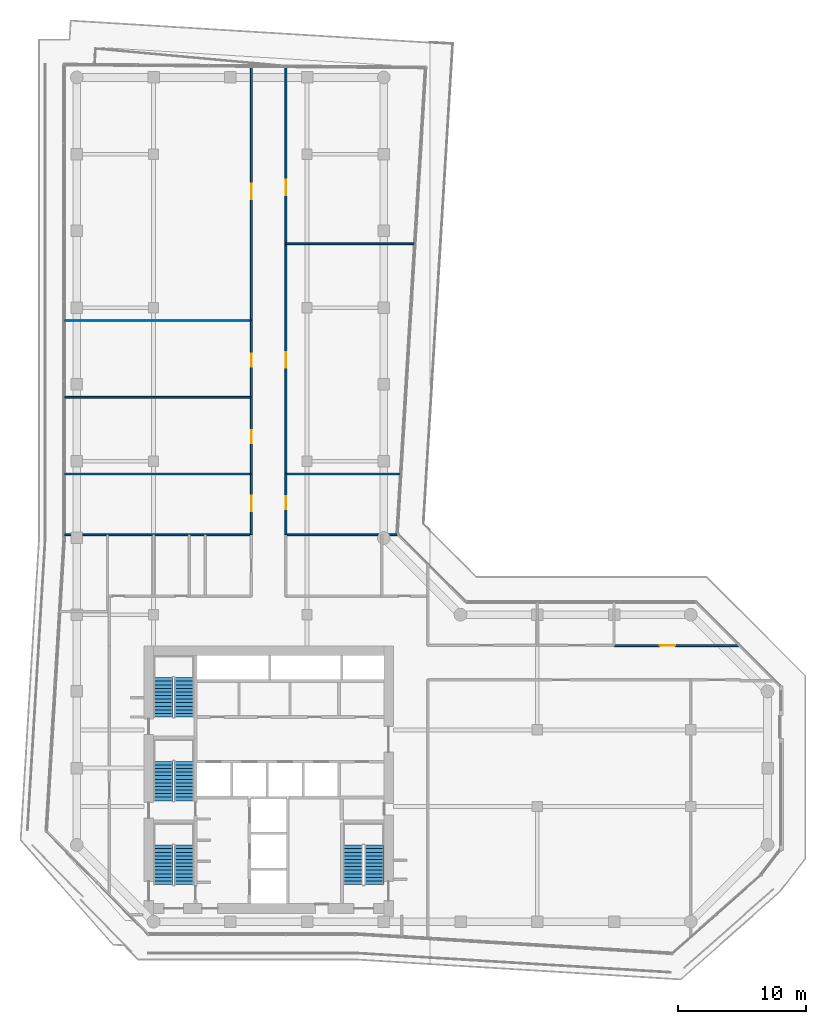
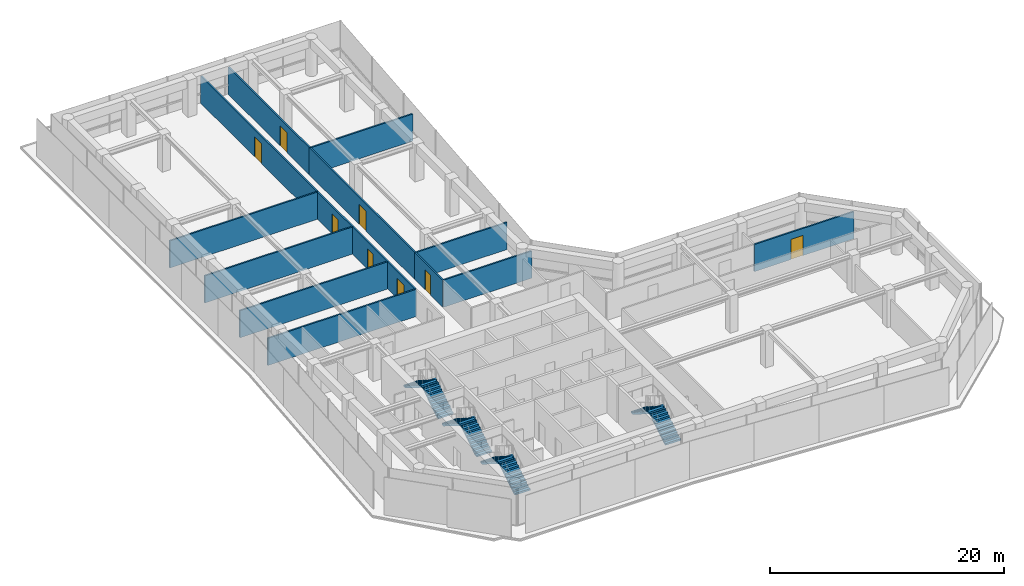
# One storey, part 22 of 24: 15 walls, 8 doors, 8 stair flights, 8 openings, 4 elements without a shape of their own.
"""IFC4 building model written with IfcOpenShell, lengths in metres."""

from ifc_helpers import new_model, si_unit, direction, frame, frame_2d, origin, place, context, subcontext, project, spatial, polyline, rectangle, outline, extrude, material, layer, layer_set, type_object, element, fill, aggregate, save


model = new_model("IFC4")

# Units and contexts
model_context = context("Model", 3, precision=1e-05, world=origin(), true_north=direction((0.0, 1.0)))
body_context = subcontext(model_context, "Body", "Model", "MODEL_VIEW")
ifc_project = project(units=[si_unit("LENGTHUNIT", "METRE"), si_unit("AREAUNIT", "SQUARE_METRE"), si_unit("VOLUMEUNIT", "CUBIC_METRE"), si_unit("PLANEANGLEUNIT", "RADIAN"), si_unit("MASSUNIT", "GRAM", prefix="KILO")], contexts=[model_context])

# Site, building, storey
site_placement = place(None, origin())
site = spatial("IfcSite", under=ifc_project, at=site_placement, CompositionType="ELEMENT")
building_placement = place(site_placement, origin())
building = spatial("IfcBuilding", under=site, at=building_placement, Name="Welwitschia Terrace Campus", CompositionType="ELEMENT")
storey_placement = place(building_placement, frame((0.0, 0.0, 125.60009765625)))
storey = spatial("IfcBuildingStorey", under=building, at=storey_placement, Name="L28", CompositionType="ELEMENT", Elevation=125.60009765625)

# Walls
ifc_material_1 = material(Name="Gypsum board on steel studs", Category="steel")
ifc_layer = layer(ifc_material_1, 0.14990234375)
ifc_layer_set = layer_set([ifc_layer], Name="Gypsum board on steel studs")
wall_type = type_object("IfcWallType", Name="Corridor partition 150 EI 30", PredefinedType="PARTITIONING", material=ifc_layer_set)
for number, where, z_axis, x_axis, name in (
    (1, (-0.97998046875, 34.25, 0.0), (0.0, 0.0, 1.0), (1.0, 0.0, 0.0), "Partition"),
    (2, (-0.97998046875, 39.0, 0.0), (0.0, 0.0, 1.0), (1.0, 0.0, 0.0), "Partition"),
    (3, (-0.97998046875, 45.0, 0.0), (0.0, 0.0, 1.0), (1.0, 0.0, 0.0), "Partition"),
    (4, (-0.97998046875, 51.0, 0.0), (0.0, 0.0, 1.0), (1.0, 0.0, 0.0), "Partition"),
):
    element("IfcWall", number, at=place(storey_placement, frame(where, z_axis=z_axis, x_axis=x_axis)), inside=storey, type_object=wall_type, Name=name, PredefinedType="PARTITIONING", context=body_context, shape_type="SweptSolid", body=[
        extrude(rectangle(XDim=14.6298828125, YDim=0.14990234375, at=frame_2d((7.31494140625, 0.0))), origin(), (0.0, 0.0, 1.0), 2.829833984375),
    ])

# Wall, opening, door
wall_1_placement = place(storey_placement, frame((13.64990234375, 34.25, 0.0), z_axis=(0.0, 0.0, 1.0), x_axis=(0.0, 1.0, 0.0)))
wall_1 = element("IfcWall", 5, at=wall_1_placement, inside=storey, type_object=wall_type, Name="Partition", PredefinedType="PARTITIONING", context=body_context, shape_type="SweptSolid", body=[
    extrude(rectangle(XDim=4.75, YDim=0.14990234375, at=frame_2d((2.375, 0.0))), origin(), (0.0, 0.0, 1.0), 2.829833984375),
])
opening_1_placement = place(wall_1_placement, frame((1.85009765625, 0.0, 0.0)))
opening_1 = element("IfcOpeningElement", 6, at=opening_1_placement, cuts=wall_1, Name="Opening DI12", PredefinedType="OPENING", context=body_context, shape_type="SweptSolid", body=[
    extrude(rectangle(XDim=1.199951171875, YDim=2.10009765625, at=frame_2d((0.60009765625, 1.050048828125))), frame((0.0, 0.0849609375, 0.0), z_axis=(0.0, -1.0, 0.0), x_axis=(1.0, 0.0, 0.0)), (0.0, 0.0, 1.0), 0.169921875),
])
ifc_material_2 = material(Name="Timber veneered door", Category="wood")
door_type_1 = type_object("IfcDoorType", Name="Interior door DI12", OperationType="NOTDEFINED", PredefinedType="DOOR", material=ifc_material_2)
door_1_placement = place(opening_1_placement, origin())
door_1 = element("IfcDoor", 7, at=door_1_placement, inside=storey, type_object=door_type_1, Name="Door L28 604", OperationType="SINGLE_SWING_LEFT", OverallHeight=2.10009765625, OverallWidth=1.199951171875, PredefinedType="DOOR", context=body_context, shape_type="SweptSolid", body=[
    extrude(rectangle(XDim=1.199951171875, YDim=2.10009765625, at=frame_2d((0.60009765625, 1.050048828125))), frame((0.0, 0.02490234375, 0.0), z_axis=(0.0, -1.0, 0.0), x_axis=(1.0, 0.0, 0.0)), (0.0, 0.0, 1.0), 0.050048828125),
])
fill(opening_1, door_1)

wall_2_placement = place(storey_placement, frame((13.64990234375, 39.0, 0.0), z_axis=(0.0, 0.0, 1.0), x_axis=(0.0, 1.0, 0.0)))
wall_2 = element("IfcWall", 8, at=wall_2_placement, inside=storey, type_object=wall_type, Name="Partition", PredefinedType="PARTITIONING", context=body_context, shape_type="SweptSolid", body=[
    extrude(rectangle(XDim=6.0, YDim=0.14990234375, at=frame_2d((3.0, 0.0))), origin(), (0.0, 0.0, 1.0), 2.829833984375),
])
opening_2_placement = place(wall_2_placement, frame((2.39990234375, 0.0, 0.0)))
opening_2 = element("IfcOpeningElement", 9, at=opening_2_placement, cuts=wall_2, Name="Opening DI10", PredefinedType="OPENING", context=body_context, shape_type="SweptSolid", body=[
    extrude(rectangle(XDim=1.0, YDim=2.10009765625, at=frame_2d((0.5, 1.050048828125))), frame((0.0, 0.0849609375, 0.0), z_axis=(0.0, -1.0, 0.0), x_axis=(1.0, 0.0, 0.0)), (0.0, 0.0, 1.0), 0.169921875),
])
ifc_material_3 = material(Name="Timber veneered door", Category="wood")
door_type_2 = type_object("IfcDoorType", Name="Interior door DI10", OperationType="NOTDEFINED", PredefinedType="DOOR", material=ifc_material_3)
door_2_placement = place(opening_2_placement, origin())
door_2 = element("IfcDoor", 10, at=door_2_placement, inside=storey, type_object=door_type_2, Name="Door L28 605", OperationType="SINGLE_SWING_RIGHT", OverallHeight=2.10009765625, OverallWidth=1.0, PredefinedType="DOOR", context=body_context, shape_type="SweptSolid", body=[
    extrude(rectangle(XDim=1.0, YDim=2.10009765625, at=frame_2d((0.5, 1.050048828125))), frame((0.0, 0.02490234375, 0.0), z_axis=(0.0, -1.0, 0.0), x_axis=(1.0, 0.0, 0.0)), (0.0, 0.0, 1.0), 0.050048828125),
])
fill(opening_2, door_2)

wall_3_placement = place(storey_placement, frame((13.64990234375, 45.0, 0.0), z_axis=(0.0, 0.0, 1.0), x_axis=(0.0, 1.0, 0.0)))
wall_3 = element("IfcWall", 11, at=wall_3_placement, inside=storey, type_object=wall_type, Name="Partition", PredefinedType="PARTITIONING", context=body_context, shape_type="SweptSolid", body=[
    extrude(rectangle(XDim=6.0, YDim=0.14990234375, at=frame_2d((3.0, 0.0))), origin(), (0.0, 0.0, 1.0), 2.829833984375),
])
opening_3_placement = place(wall_3_placement, frame((2.39990234375, 0.0, 0.0)))
opening_3 = element("IfcOpeningElement", 12, at=opening_3_placement, cuts=wall_3, Name="Opening DI10", PredefinedType="OPENING", context=body_context, shape_type="SweptSolid", body=[
    extrude(rectangle(XDim=1.0, YDim=2.10009765625, at=frame_2d((0.5, 1.050048828125))), frame((0.0, 0.0849609375, 0.0), z_axis=(0.0, -1.0, 0.0), x_axis=(1.0, 0.0, 0.0)), (0.0, 0.0, 1.0), 0.169921875),
])
door_3_placement = place(opening_3_placement, origin())
door_3 = element("IfcDoor", 13, at=door_3_placement, inside=storey, type_object=door_type_2, Name="Door L28 606", OperationType="SINGLE_SWING_LEFT", OverallHeight=2.10009765625, OverallWidth=1.0, PredefinedType="DOOR", context=body_context, shape_type="SweptSolid", body=[
    extrude(rectangle(XDim=1.0, YDim=2.10009765625, at=frame_2d((0.5, 1.050048828125))), frame((0.0, 0.02490234375, 0.0), z_axis=(0.0, -1.0, 0.0), x_axis=(1.0, 0.0, 0.0)), (0.0, 0.0, 1.0), 0.050048828125),
])
fill(opening_3, door_3)

wall_4_placement = place(storey_placement, frame((13.64990234375, 51.0, 0.0), z_axis=(0.0, 0.0, 1.0), x_axis=(0.0, 1.0, 0.0)))
wall_4 = element("IfcWall", 14, at=wall_4_placement, inside=storey, type_object=wall_type, Name="Partition", PredefinedType="PARTITIONING", context=body_context, shape_type="SweptSolid", body=[
    extrude(rectangle(XDim=19.8798828125, YDim=0.14990234375, at=frame_2d((9.93994140625, 0.0))), origin(), (0.0, 0.0, 1.0), 2.829833984375),
])
opening_4_placement = place(wall_4_placement, frame((9.47998046875, 0.0, 0.0)))
opening_4 = element("IfcOpeningElement", 15, at=opening_4_placement, cuts=wall_4, Name="Opening DI12", PredefinedType="OPENING", context=body_context, shape_type="SweptSolid", body=[
    extrude(rectangle(XDim=1.199951171875, YDim=2.10009765625, at=frame_2d((0.60009765625, 1.050048828125))), frame((0.0, 0.0849609375, 0.0), z_axis=(0.0, -1.0, 0.0), x_axis=(1.0, 0.0, 0.0)), (0.0, 0.0, 1.0), 0.169921875),
])
door_4_placement = place(opening_4_placement, origin())
door_4 = element("IfcDoor", 16, at=door_4_placement, inside=storey, type_object=door_type_1, Name="Door L28 607", OperationType="SINGLE_SWING_RIGHT", OverallHeight=2.10009765625, OverallWidth=1.199951171875, PredefinedType="DOOR", context=body_context, shape_type="SweptSolid", body=[
    extrude(rectangle(XDim=1.199951171875, YDim=2.10009765625, at=frame_2d((0.60009765625, 1.050048828125))), frame((0.0, 0.02490234375, 0.0), z_axis=(0.0, -1.0, 0.0), x_axis=(1.0, 0.0, 0.0)), (0.0, 0.0, 1.0), 0.050048828125),
])
fill(opening_4, door_4)

# Wall
wall_5_placement = place(storey_placement, frame((16.35009765625, 34.25, 0.0), z_axis=(0.0, 0.0, 1.0), x_axis=(1.0, 0.0, 0.0)))
element("IfcWall", 17, at=wall_5_placement, inside=storey, type_object=wall_type, Name="Partition", PredefinedType="PARTITIONING", context=body_context, shape_type="SweptSolid", body=[
    extrude(rectangle(XDim=8.692626953125, YDim=0.14990234375, at=frame_2d((4.34619140625, 0.0))), origin(), (0.0, 0.0, 1.0), 2.829833984375),
])

# Wall, opening, door
wall_6_placement = place(storey_placement, frame((16.35009765625, 39.0, 0.0), z_axis=(0.0, 0.0, 1.0), x_axis=(0.0, -1.0, 0.0)))
wall_6 = element("IfcWall", 18, at=wall_6_placement, inside=storey, type_object=wall_type, Name="Partition", PredefinedType="PARTITIONING", context=body_context, shape_type="SweptSolid", body=[
    extrude(rectangle(XDim=4.75, YDim=0.14990234375, at=frame_2d((2.375, 0.0))), origin(), (0.0, 0.0, 1.0), 2.829833984375),
])
opening_5_placement = place(wall_6_placement, frame((1.75, 0.0, 0.0)))
opening_5 = element("IfcOpeningElement", 19, at=opening_5_placement, cuts=wall_6, Name="Opening DI10", PredefinedType="OPENING", context=body_context, shape_type="SweptSolid", body=[
    extrude(rectangle(XDim=1.0, YDim=2.10009765625, at=frame_2d((0.5, 1.050048828125))), frame((0.0, 0.0849609375, 0.0), z_axis=(0.0, -1.0, 0.0), x_axis=(1.0, 0.0, 0.0)), (0.0, 0.0, 1.0), 0.169921875),
])
door_5_placement = place(opening_5_placement, origin())
door_5 = element("IfcDoor", 20, at=door_5_placement, inside=storey, type_object=door_type_2, Name="Door L28 608", OperationType="SINGLE_SWING_LEFT", OverallHeight=2.10009765625, OverallWidth=1.0, PredefinedType="DOOR", context=body_context, shape_type="SweptSolid", body=[
    extrude(rectangle(XDim=1.0, YDim=2.10009765625, at=frame_2d((0.5, 1.050048828125))), frame((0.0, 0.02490234375, 0.0), z_axis=(0.0, -1.0, 0.0), x_axis=(1.0, 0.0, 0.0)), (0.0, 0.0, 1.0), 0.050048828125),
])
fill(opening_5, door_5)

# Wall
wall_7_placement = place(storey_placement, frame((16.35009765625, 39.0, 0.0), z_axis=(0.0, 0.0, 1.0), x_axis=(1.0, 0.0, 0.0)))
element("IfcWall", 21, at=wall_7_placement, inside=storey, type_object=wall_type, Name="Partition", PredefinedType="PARTITIONING", context=body_context, shape_type="SweptSolid", body=[
    extrude(rectangle(XDim=8.989990234375, YDim=0.14990234375, at=frame_2d((4.4951171875, 0.0))), origin(), (0.0, 0.0, 1.0), 2.829833984375),
])

# Wall, opening, door
wall_8_placement = place(storey_placement, frame((16.35009765625, 57.0, 0.0), z_axis=(0.0, 0.0, 1.0), x_axis=(0.0, -1.0, 0.0)))
wall_8 = element("IfcWall", 22, at=wall_8_placement, inside=storey, type_object=wall_type, Name="Partition", PredefinedType="PARTITIONING", context=body_context, shape_type="SweptSolid", body=[
    extrude(rectangle(XDim=18.0, YDim=0.14990234375, at=frame_2d((9.0, 0.0))), origin(), (0.0, 0.0, 1.0), 2.829833984375),
])
opening_6_placement = place(wall_8_placement, frame((8.5, 0.0, 0.0)))
opening_6 = element("IfcOpeningElement", 23, at=opening_6_placement, cuts=wall_8, Name="Opening DI12", PredefinedType="OPENING", context=body_context, shape_type="SweptSolid", body=[
    extrude(rectangle(XDim=1.199951171875, YDim=2.10009765625, at=frame_2d((0.60009765625, 1.050048828125))), frame((0.0, 0.0849609375, 0.0), z_axis=(0.0, -1.0, 0.0), x_axis=(1.0, 0.0, 0.0)), (0.0, 0.0, 1.0), 0.169921875),
])
door_6_placement = place(opening_6_placement, origin())
door_6 = element("IfcDoor", 24, at=door_6_placement, inside=storey, type_object=door_type_1, Name="Door L28 609", OperationType="SINGLE_SWING_RIGHT", OverallHeight=2.10009765625, OverallWidth=1.199951171875, PredefinedType="DOOR", context=body_context, shape_type="SweptSolid", body=[
    extrude(rectangle(XDim=1.199951171875, YDim=2.10009765625, at=frame_2d((0.60009765625, 1.050048828125))), frame((0.0, 0.02490234375, 0.0), z_axis=(0.0, -1.0, 0.0), x_axis=(1.0, 0.0, 0.0)), (0.0, 0.0, 1.0), 0.050048828125),
])
fill(opening_6, door_6)

# Wall
wall_9_placement = place(storey_placement, frame((16.35009765625, 57.0, 0.0), z_axis=(0.0, 0.0, 1.0), x_axis=(1.0, 0.0, 0.0)))
element("IfcWall", 25, at=wall_9_placement, inside=storey, type_object=wall_type, Name="Partition", PredefinedType="PARTITIONING", context=body_context, shape_type="SweptSolid", body=[
    extrude(rectangle(XDim=10.08984375, YDim=0.14990234375, at=frame_2d((5.044921875, 0.0))), origin(), (0.0, 0.0, 1.0), 2.829833984375),
])

# Wall, opening, door
wall_10_placement = place(storey_placement, frame((16.35009765625, 70.860107421875, 0.0), z_axis=(0.0, 0.0, 1.0), x_axis=(0.0, -1.0, 0.0)))
wall_10 = element("IfcWall", 26, at=wall_10_placement, inside=storey, type_object=wall_type, Name="Partition", PredefinedType="PARTITIONING", context=body_context, shape_type="SweptSolid", body=[
    extrude(rectangle(XDim=13.860107421875, YDim=0.14990234375, at=frame_2d((6.93017578125, 0.0))), origin(), (0.0, 0.0, 1.0), 2.829833984375),
])
opening_7_placement = place(wall_10_placement, frame((8.860107421875, 0.0, 0.0)))
opening_7 = element("IfcOpeningElement", 27, at=opening_7_placement, cuts=wall_10, Name="Opening DX12", PredefinedType="OPENING", context=body_context, shape_type="SweptSolid", body=[
    extrude(rectangle(XDim=1.199951171875, YDim=2.10009765625, at=frame_2d((0.60009765625, 1.050048828125))), frame((0.0, 0.0849609375, 0.0), z_axis=(0.0, -1.0, 0.0), x_axis=(1.0, 0.0, 0.0)), (0.0, 0.0, 1.0), 0.169921875),
])
ifc_material_4 = material(Name="Timber veneered door", Category="wood")
door_type_3 = type_object("IfcDoorType", Name="Interior door DX12", OperationType="NOTDEFINED", PredefinedType="DOOR", material=ifc_material_4)
door_7_placement = place(opening_7_placement, origin())
door_7 = element("IfcDoor", 28, at=door_7_placement, inside=storey, type_object=door_type_3, Name="Door L28 610", OperationType="SINGLE_SWING_LEFT", OverallHeight=2.10009765625, OverallWidth=1.199951171875, PredefinedType="DOOR", context=body_context, shape_type="SweptSolid", body=[
    extrude(rectangle(XDim=1.199951171875, YDim=2.10009765625, at=frame_2d((0.60009765625, 1.050048828125))), frame((0.0, 0.02490234375, 0.0), z_axis=(0.0, -1.0, 0.0), x_axis=(1.0, 0.0, 0.0)), (0.0, 0.0, 1.0), 0.050048828125),
])
fill(opening_7, door_7)

wall_11_placement = place(storey_placement, frame((42.0, 25.577392578125, 0.0), z_axis=(0.0, 0.0, 1.0), x_axis=(1.0, 0.0, 0.0)))
wall_11 = element("IfcWall", 29, at=wall_11_placement, inside=storey, type_object=wall_type, Name="Partition", PredefinedType="PARTITIONING", context=body_context, shape_type="SweptSolid", body=[
    extrude(rectangle(XDim=9.780029296875, YDim=0.14990234375, at=frame_2d((4.89013671875, 0.0))), origin(), (0.0, 0.0, 1.0), 2.829833984375),
])
opening_8_placement = place(wall_11_placement, frame((3.580078125, 0.0, 0.0)))
opening_8 = element("IfcOpeningElement", 30, at=opening_8_placement, cuts=wall_11, Name="Opening DI12", PredefinedType="OPENING", context=body_context, shape_type="SweptSolid", body=[
    extrude(rectangle(XDim=1.199951171875, YDim=2.10009765625, at=frame_2d((0.60009765625, 1.050048828125))), frame((0.0, 0.0849609375, 0.0), z_axis=(0.0, -1.0, 0.0), x_axis=(1.0, 0.0, 0.0)), (0.0, 0.0, 1.0), 0.169921875),
])
door_8_placement = place(opening_8_placement, origin())
door_8 = element("IfcDoor", 31, at=door_8_placement, inside=storey, type_object=door_type_1, Name="Door L28 614", OperationType="SINGLE_SWING_LEFT", OverallHeight=2.10009765625, OverallWidth=1.199951171875, PredefinedType="DOOR", context=body_context, shape_type="SweptSolid", body=[
    extrude(rectangle(XDim=1.199951171875, YDim=2.10009765625, at=frame_2d((0.60009765625, 1.050048828125))), frame((0.0, 0.02490234375, 0.0), z_axis=(0.0, -1.0, 0.0), x_axis=(1.0, 0.0, 0.0)), (0.0, 0.0, 1.0), 0.050048828125),
])
fill(opening_8, door_8)

# Stair, stair flights
ifc_material_5 = material(Name="Concrete C40/50", Category="concrete")
stair_type = type_object("IfcStairType", Name="Stair 24R 175 W1500", PredefinedType="HALF_TURN_STAIR", material=ifc_material_5)
stair_1_placement = place(storey_placement, origin())
stair_1 = element("IfcStair", 32, at=stair_1_placement, inside=storey, type_object=stair_type, Name="L28 Exit stair S1", PredefinedType="HALF_TURN_STAIR")
ifc_material_6 = material(Name="Concrete C40/50", Category="concrete")
stair_flight_type = type_object("IfcStairFlightType", Name="Stair flight 24R 175 W1500", PredefinedType="STRAIGHT", material=ifc_material_6)
stair_flight_1_placement = place(storey_placement, frame((8.39990234375, 6.89990234375, 0.0), z_axis=(0.0, 0.0, 1.0), x_axis=(0.0, 1.0, 0.0)))
stair_flight_1 = element("IfcStairFlight", 33, at=stair_flight_1_placement, type_object=stair_flight_type, Name="S1 flight 1", NumberOfRisers=12, NumberOfTreads=11, PredefinedType="STRAIGHT", RiserHeight=0.175, TreadLength=0.28, context=body_context, shape_type="SweptSolid", body=[
    extrude(outline(polyline([(0.0, 0.0), (0.0, 0.175048828125), (0.280029296875, 0.175048828125), (0.280029296875, 0.35009765625), (0.56005859375, 0.35009765625), (0.56005859375, 0.52490234375), (0.840087890625, 0.52490234375), (0.840087890625, 0.699951171875), (1.1201171875, 0.699951171875), (1.1201171875, 0.875), (1.39990234375, 0.875), (1.39990234375, 1.050048828125), (1.679931640625, 1.050048828125), (1.679931640625, 1.22509765625), (1.9599609375, 1.22509765625), (1.9599609375, 1.39990234375), (2.239990234375, 1.39990234375), (2.239990234375, 1.574951171875), (2.52001953125, 1.574951171875), (2.52001953125, 1.75), (2.800048828125, 1.75), (2.800048828125, 1.925048828125), (3.080078125, 1.925048828125), (3.080078125, 2.10009765625), (3.080078125, 1.748291015625), (0.28271484375, 0.0), (0.0, 0.0)])), frame((0.0, 0.75, 0.0), z_axis=(0.0, -1.0, 0.0), x_axis=(1.0, 0.0, 0.0)), (0.0, 0.0, 1.0), 1.5),
])
stair_flight_2_placement = place(storey_placement, frame((6.75, 9.97998046875, 2.099853515625), z_axis=(0.0, 0.0, 1.0), x_axis=(0.0, -1.0, 0.0)))
stair_flight_2 = element("IfcStairFlight", 34, at=stair_flight_2_placement, type_object=stair_flight_type, Name="S1 flight 2", NumberOfRisers=12, NumberOfTreads=11, PredefinedType="STRAIGHT", RiserHeight=0.175, TreadLength=0.28, context=body_context, shape_type="SweptSolid", body=[
    extrude(outline(polyline([(0.0, 0.0), (0.0, 0.175048828125), (0.280029296875, 0.175048828125), (0.280029296875, 0.35009765625), (0.56005859375, 0.35009765625), (0.56005859375, 0.52490234375), (0.840087890625, 0.52490234375), (0.840087890625, 0.699951171875), (1.1201171875, 0.699951171875), (1.1201171875, 0.875), (1.39990234375, 0.875), (1.39990234375, 1.050048828125), (1.679931640625, 1.050048828125), (1.679931640625, 1.22509765625), (1.9599609375, 1.22509765625), (1.9599609375, 1.39990234375), (2.239990234375, 1.39990234375), (2.239990234375, 1.574951171875), (2.52001953125, 1.574951171875), (2.52001953125, 1.75), (2.800048828125, 1.75), (2.800048828125, 1.925048828125), (3.080078125, 1.925048828125), (3.080078125, 2.10009765625), (3.080078125, 1.748291015625), (0.28271484375, 0.0), (0.0, 0.0)])), frame((0.0, 0.75, 0.0), z_axis=(0.0, -1.0, 0.0), x_axis=(1.0, 0.0, 0.0)), (0.0, 0.0, 1.0), 1.5),
])
aggregate(stair_1, [stair_flight_1, stair_flight_2])

stair_2_placement = place(storey_placement, origin())
stair_2 = element("IfcStair", 35, at=stair_2_placement, inside=storey, type_object=stair_type, Name="L28 Exit stair S3", PredefinedType="HALF_TURN_STAIR")
stair_flight_3_placement = place(storey_placement, frame((8.39990234375, 13.449951171875, 0.0), z_axis=(0.0, 0.0, 1.0), x_axis=(0.0, 1.0, 0.0)))
stair_flight_3 = element("IfcStairFlight", 36, at=stair_flight_3_placement, type_object=stair_flight_type, Name="S3 flight 1", NumberOfRisers=12, NumberOfTreads=11, PredefinedType="STRAIGHT", RiserHeight=0.175, TreadLength=0.28, context=body_context, shape_type="SweptSolid", body=[
    extrude(outline(polyline([(0.0, 0.0), (0.0, 0.175048828125), (0.280029296875, 0.175048828125), (0.280029296875, 0.35009765625), (0.56005859375, 0.35009765625), (0.56005859375, 0.52490234375), (0.840087890625, 0.52490234375), (0.840087890625, 0.699951171875), (1.1201171875, 0.699951171875), (1.1201171875, 0.875), (1.39990234375, 0.875), (1.39990234375, 1.050048828125), (1.679931640625, 1.050048828125), (1.679931640625, 1.22509765625), (1.9599609375, 1.22509765625), (1.9599609375, 1.39990234375), (2.239990234375, 1.39990234375), (2.239990234375, 1.574951171875), (2.52001953125, 1.574951171875), (2.52001953125, 1.75), (2.800048828125, 1.75), (2.800048828125, 1.925048828125), (3.080078125, 1.925048828125), (3.080078125, 2.10009765625), (3.080078125, 1.748291015625), (0.28271484375, 0.0), (0.0, 0.0)])), frame((0.0, 0.75, 0.0), z_axis=(0.0, -1.0, 0.0), x_axis=(1.0, 0.0, 0.0)), (0.0, 0.0, 1.0), 1.5),
])
stair_flight_4_placement = place(storey_placement, frame((6.75, 16.530029296875, 2.099853515625), z_axis=(0.0, 0.0, 1.0), x_axis=(0.0, -1.0, 0.0)))
stair_flight_4 = element("IfcStairFlight", 37, at=stair_flight_4_placement, type_object=stair_flight_type, Name="S3 flight 2", NumberOfRisers=12, NumberOfTreads=11, PredefinedType="STRAIGHT", RiserHeight=0.175, TreadLength=0.28, context=body_context, shape_type="SweptSolid", body=[
    extrude(outline(polyline([(0.0, 0.0), (0.0, 0.175048828125), (0.280029296875, 0.175048828125), (0.280029296875, 0.35009765625), (0.56005859375, 0.35009765625), (0.56005859375, 0.52490234375), (0.840087890625, 0.52490234375), (0.840087890625, 0.699951171875), (1.1201171875, 0.699951171875), (1.1201171875, 0.875), (1.39990234375, 0.875), (1.39990234375, 1.050048828125), (1.679931640625, 1.050048828125), (1.679931640625, 1.22509765625), (1.9599609375, 1.22509765625), (1.9599609375, 1.39990234375), (2.239990234375, 1.39990234375), (2.239990234375, 1.574951171875), (2.52001953125, 1.574951171875), (2.52001953125, 1.75), (2.800048828125, 1.75), (2.800048828125, 1.925048828125), (3.080078125, 1.925048828125), (3.080078125, 2.10009765625), (3.080078125, 1.748291015625), (0.28271484375, 0.0), (0.0, 0.0)])), frame((0.0, 0.75, 0.0), z_axis=(0.0, -1.0, 0.0), x_axis=(1.0, 0.0, 0.0)), (0.0, 0.0, 1.0), 1.5),
])
aggregate(stair_2, [stair_flight_3, stair_flight_4])

stair_3_placement = place(storey_placement, origin())
stair_3 = element("IfcStair", 38, at=stair_3_placement, inside=storey, type_object=stair_type, Name="L28 Exit stair S4", PredefinedType="HALF_TURN_STAIR")
stair_flight_5_placement = place(storey_placement, frame((8.39990234375, 20.0, 0.0), z_axis=(0.0, 0.0, 1.0), x_axis=(0.0, 1.0, 0.0)))
stair_flight_5 = element("IfcStairFlight", 39, at=stair_flight_5_placement, type_object=stair_flight_type, Name="S4 flight 1", NumberOfRisers=12, NumberOfTreads=11, PredefinedType="STRAIGHT", RiserHeight=0.175, TreadLength=0.28, context=body_context, shape_type="SweptSolid", body=[
    extrude(outline(polyline([(0.0, 0.0), (0.0, 0.175048828125), (0.280029296875, 0.175048828125), (0.280029296875, 0.35009765625), (0.56005859375, 0.35009765625), (0.56005859375, 0.52490234375), (0.840087890625, 0.52490234375), (0.840087890625, 0.699951171875), (1.1201171875, 0.699951171875), (1.1201171875, 0.875), (1.39990234375, 0.875), (1.39990234375, 1.050048828125), (1.679931640625, 1.050048828125), (1.679931640625, 1.22509765625), (1.9599609375, 1.22509765625), (1.9599609375, 1.39990234375), (2.239990234375, 1.39990234375), (2.239990234375, 1.574951171875), (2.52001953125, 1.574951171875), (2.52001953125, 1.75), (2.800048828125, 1.75), (2.800048828125, 1.925048828125), (3.080078125, 1.925048828125), (3.080078125, 2.10009765625), (3.080078125, 1.748291015625), (0.28271484375, 0.0), (0.0, 0.0)])), frame((0.0, 0.75, 0.0), z_axis=(0.0, -1.0, 0.0), x_axis=(1.0, 0.0, 0.0)), (0.0, 0.0, 1.0), 1.5),
])
stair_flight_6_placement = place(storey_placement, frame((6.75, 23.080078125, 2.099853515625), z_axis=(0.0, 0.0, 1.0), x_axis=(0.0, -1.0, 0.0)))
stair_flight_6 = element("IfcStairFlight", 40, at=stair_flight_6_placement, type_object=stair_flight_type, Name="S4 flight 2", NumberOfRisers=12, NumberOfTreads=11, PredefinedType="STRAIGHT", RiserHeight=0.175, TreadLength=0.28, context=body_context, shape_type="SweptSolid", body=[
    extrude(outline(polyline([(0.0, 0.0), (0.0, 0.175048828125), (0.280029296875, 0.175048828125), (0.280029296875, 0.35009765625), (0.56005859375, 0.35009765625), (0.56005859375, 0.52490234375), (0.840087890625, 0.52490234375), (0.840087890625, 0.699951171875), (1.1201171875, 0.699951171875), (1.1201171875, 0.875), (1.39990234375, 0.875), (1.39990234375, 1.050048828125), (1.679931640625, 1.050048828125), (1.679931640625, 1.22509765625), (1.9599609375, 1.22509765625), (1.9599609375, 1.39990234375), (2.239990234375, 1.39990234375), (2.239990234375, 1.574951171875), (2.52001953125, 1.574951171875), (2.52001953125, 1.75), (2.800048828125, 1.75), (2.800048828125, 1.925048828125), (3.080078125, 1.925048828125), (3.080078125, 2.10009765625), (3.080078125, 1.748291015625), (0.28271484375, 0.0), (0.0, 0.0)])), frame((0.0, 0.75, 0.0), z_axis=(0.0, -1.0, 0.0), x_axis=(1.0, 0.0, 0.0)), (0.0, 0.0, 1.0), 1.5),
])
aggregate(stair_3, [stair_flight_5, stair_flight_6])

stair_4_placement = place(storey_placement, origin())
stair_4 = element("IfcStair", 41, at=stair_4_placement, inside=storey, type_object=stair_type, Name="L28 Exit stair S2", PredefinedType="HALF_TURN_STAIR")
stair_flight_7_placement = place(storey_placement, frame((23.25, 6.89990234375, 0.0), z_axis=(0.0, 0.0, 1.0), x_axis=(0.0, 1.0, 0.0)))
stair_flight_7 = element("IfcStairFlight", 42, at=stair_flight_7_placement, type_object=stair_flight_type, Name="S2 flight 1", NumberOfRisers=12, NumberOfTreads=11, PredefinedType="STRAIGHT", RiserHeight=0.175, TreadLength=0.28, context=body_context, shape_type="SweptSolid", body=[
    extrude(outline(polyline([(0.0, 0.0), (0.0, 0.175048828125), (0.280029296875, 0.175048828125), (0.280029296875, 0.35009765625), (0.56005859375, 0.35009765625), (0.56005859375, 0.52490234375), (0.840087890625, 0.52490234375), (0.840087890625, 0.699951171875), (1.1201171875, 0.699951171875), (1.1201171875, 0.875), (1.39990234375, 0.875), (1.39990234375, 1.050048828125), (1.679931640625, 1.050048828125), (1.679931640625, 1.22509765625), (1.9599609375, 1.22509765625), (1.9599609375, 1.39990234375), (2.239990234375, 1.39990234375), (2.239990234375, 1.574951171875), (2.52001953125, 1.574951171875), (2.52001953125, 1.75), (2.800048828125, 1.75), (2.800048828125, 1.925048828125), (3.080078125, 1.925048828125), (3.080078125, 2.10009765625), (3.080078125, 1.748291015625), (0.28271484375, 0.0), (0.0, 0.0)])), frame((0.0, 0.75, 0.0), z_axis=(0.0, -1.0, 0.0), x_axis=(1.0, 0.0, 0.0)), (0.0, 0.0, 1.0), 1.5),
])
stair_flight_8_placement = place(storey_placement, frame((21.60009765625, 9.97998046875, 2.099853515625), z_axis=(0.0, 0.0, 1.0), x_axis=(0.0, -1.0, 0.0)))
stair_flight_8 = element("IfcStairFlight", 43, at=stair_flight_8_placement, type_object=stair_flight_type, Name="S2 flight 2", NumberOfRisers=12, NumberOfTreads=11, PredefinedType="STRAIGHT", RiserHeight=0.175, TreadLength=0.28, context=body_context, shape_type="SweptSolid", body=[
    extrude(outline(polyline([(0.0, 0.0), (0.0, 0.175048828125), (0.280029296875, 0.175048828125), (0.280029296875, 0.35009765625), (0.56005859375, 0.35009765625), (0.56005859375, 0.52490234375), (0.840087890625, 0.52490234375), (0.840087890625, 0.699951171875), (1.1201171875, 0.699951171875), (1.1201171875, 0.875), (1.39990234375, 0.875), (1.39990234375, 1.050048828125), (1.679931640625, 1.050048828125), (1.679931640625, 1.22509765625), (1.9599609375, 1.22509765625), (1.9599609375, 1.39990234375), (2.239990234375, 1.39990234375), (2.239990234375, 1.574951171875), (2.52001953125, 1.574951171875), (2.52001953125, 1.75), (2.800048828125, 1.75), (2.800048828125, 1.925048828125), (3.080078125, 1.925048828125), (3.080078125, 2.10009765625), (3.080078125, 1.748291015625), (0.28271484375, 0.0), (0.0, 0.0)])), frame((0.0, 0.75, 0.0), z_axis=(0.0, -1.0, 0.0), x_axis=(1.0, 0.0, 0.0)), (0.0, 0.0, 1.0), 1.5),
])
aggregate(stair_4, [stair_flight_7, stair_flight_8])

save(model, "model.ifc")
